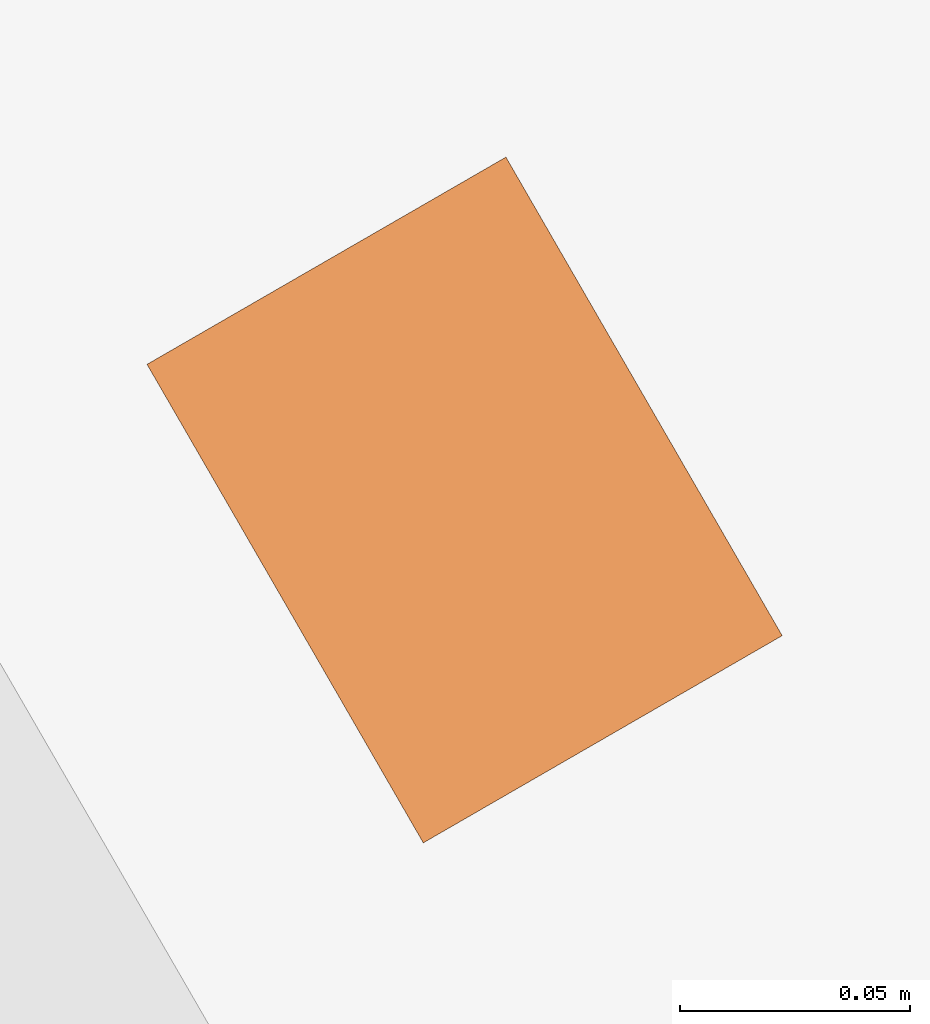
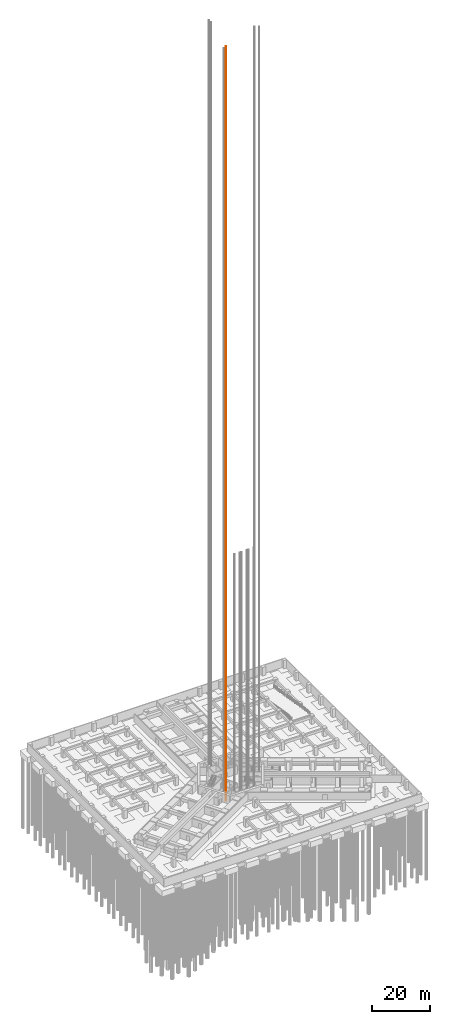
# One storey, part 63 of 73: 1 proxy.
"""IFC4 building model written with IfcOpenShell, lengths in metres."""

from ifc_helpers import new_model, si_unit, direction, frame, origin, origin_2d, place, context, subcontext, project, spatial, rectangle, extrude, material, type_object, element, save


model = new_model("IFC4")

# Units and contexts
model_context = context("Model", 3, precision=1e-05, world=origin(), true_north=direction((0.0, 1.0)))
body_context = subcontext(model_context, "Body", "Model", "MODEL_VIEW")
ifc_project = project(units=[si_unit("LENGTHUNIT", "METRE"), si_unit("AREAUNIT", "SQUARE_METRE"), si_unit("VOLUMEUNIT", "CUBIC_METRE"), si_unit("PLANEANGLEUNIT", "RADIAN"), si_unit("MASSUNIT", "GRAM", prefix="KILO")], contexts=[model_context])

# Site, building, storey
site_placement = place(None, origin())
site = spatial("IfcSite", under=ifc_project, at=site_placement, CompositionType="ELEMENT")
building_placement = place(site_placement, origin())
building = spatial("IfcBuilding", under=site, at=building_placement, Name="Impinga Residences", CompositionType="ELEMENT")
storey_placement = place(building_placement, frame((0.0, 0.0, -10.5)))
storey = spatial("IfcBuildingStorey", under=building, at=storey_placement, Name="B3", CompositionType="ELEMENT", Elevation=-10.5)

# Proxy
ifc_material = material(Name="Steel lift guide rail, galvanised", Category="steel")
building_element_proxy_type = type_object("IfcBuildingElementProxyType", Name="LGR lift guide rail", PredefinedType="USERDEFINED", material=ifc_material)
proxy_placement = place(storey_placement, frame((-5.64794921875, -6.667236328125, -1.60009765625), z_axis=(0.0, 0.0, 1.0), x_axis=(-0.866025403784, -0.5, 0.0)))
element("IfcBuildingElementProxy", 1, at=proxy_placement, inside=storey, type_object=building_element_proxy_type, Name="Guide rail F2 1", ObjectType="Lift guide rail", PredefinedType="USERDEFINED", context=body_context, shape_type="SweptSolid", body=[
    extrude(rectangle(XDim=0.090087890625, YDim=0.1201171875, at=origin_2d()), origin(), (0.0, 0.0, 1.0), 316.25),
])

save(model, "model.ifc")
